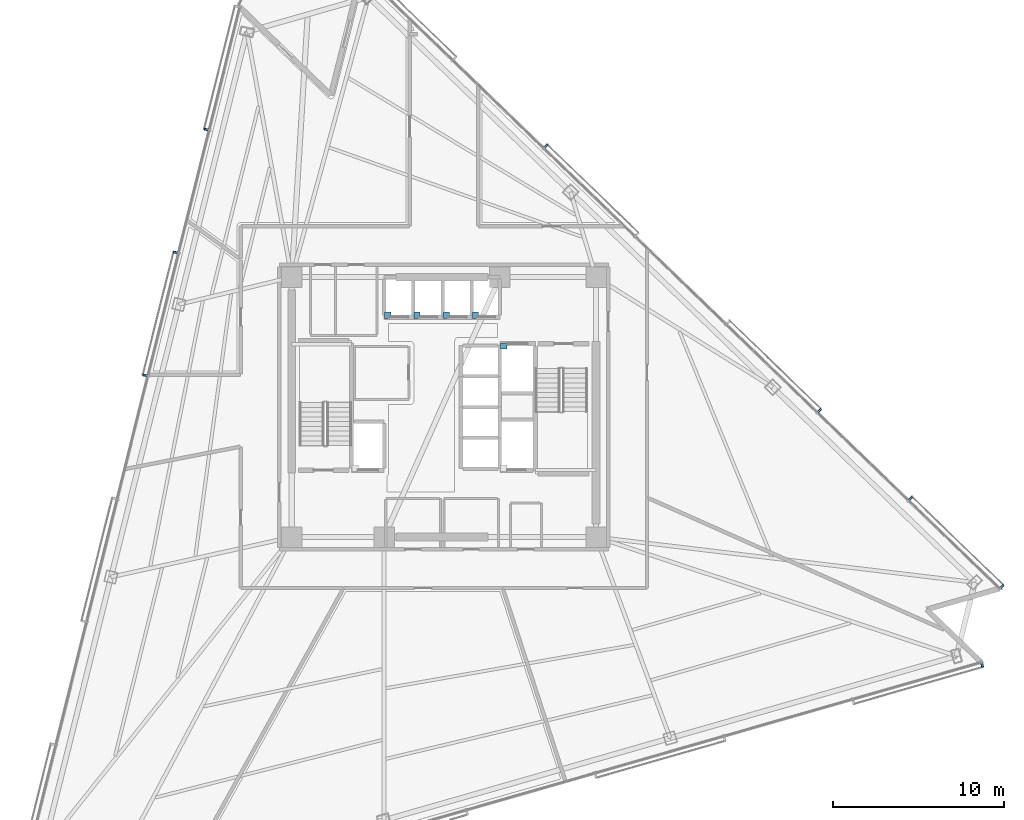
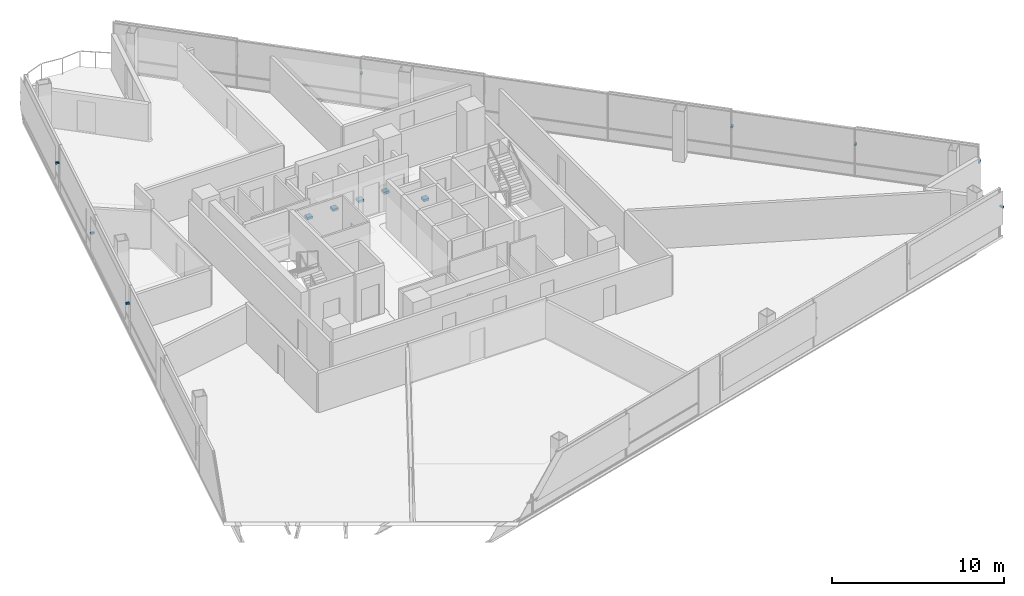
# One storey, part 13 of 17: 13 discrete accessories.
"""IFC4 building model written with IfcOpenShell, lengths in metres."""

from ifc_helpers import new_model, si_unit, direction, frame, origin, origin_2d, place, context, subcontext, project, spatial, rectangle, extrude, material, type_object, element, save


model = new_model("IFC4")

# Units and contexts
model_context = context("Model", 3, precision=1e-05, world=origin(), true_north=direction((0.0, 1.0)))
body_context = subcontext(model_context, "Body", "Model", "MODEL_VIEW")
ifc_project = project(units=[si_unit("LENGTHUNIT", "METRE"), si_unit("AREAUNIT", "SQUARE_METRE"), si_unit("VOLUMEUNIT", "CUBIC_METRE"), si_unit("PLANEANGLEUNIT", "RADIAN"), si_unit("MASSUNIT", "GRAM", prefix="KILO")], contexts=[model_context])

# Site, building, storey
site_placement = place(None, origin())
site = spatial("IfcSite", under=ifc_project, at=site_placement, CompositionType="ELEMENT")
building_placement = place(site_placement, origin())
building = spatial("IfcBuilding", under=site, at=building_placement, Name="Tharavind Bronze Gate", CompositionType="ELEMENT")
storey_placement = place(building_placement, frame((0.0, 0.0, 96.89990234375)))
storey = spatial("IfcBuildingStorey", under=building, at=storey_placement, Name="L24", CompositionType="ELEMENT", Elevation=96.89990234375)

# Discrete accessories
ifc_material_1 = material(Name="Galvanised Steel S355", Category="steel")
discrete_accessory_type_1 = type_object("IfcDiscreteAccessoryType", Name="LIFT GUIDE RAIL BRACKET", PredefinedType="BRACKET", material=ifc_material_1)
for number, where, z_axis, x_axis, name in (
    (1, (-3.280029296875, 5.3701171875, 1.1201171875), (0.0, 0.0, 1.0), (1.0, 0.0, 0.0), "Lift PL5 guide rail bracket at L24"),
    (2, (-1.5673828125, 5.3701171875, 1.1201171875), (0.0, 0.0, 1.0), (1.0, 0.0, 0.0), "Lift PL6 guide rail bracket at L24"),
    (3, (0.14501953125, 5.3701171875, 1.1201171875), (0.0, 0.0, 1.0), (1.0, 0.0, 0.0), "Lift PL7 guide rail bracket at L24"),
    (4, (1.857421875, 5.3701171875, 1.1201171875), (0.0, 0.0, 1.0), (1.0, 0.0, 0.0), "Lift PL8 guide rail bracket at L24"),
    (5, (3.5, 3.580078125, 1.1201171875), (0.0, 0.0, 1.0), (1.0, 0.0, 0.0), "Lift FFL2 guide rail bracket at L24"),
):
    element("IfcDiscreteAccessory", number, at=place(storey_placement, frame(where, z_axis=z_axis, x_axis=x_axis)), inside=storey, type_object=discrete_accessory_type_1, Name=name, PredefinedType="BRACKET", context=body_context, shape_type="SweptSolid", body=[
        extrude(rectangle(XDim=0.360107421875, YDim=0.360107421875, at=origin_2d()), origin(), (0.0, 0.0, 1.0), 0.159912109375),
    ])
ifc_material_2 = material(Name="Stainless Steel 316", Category="steel")
discrete_accessory_type_2 = type_object("IfcDiscreteAccessoryType", Name="SOLAR SCREEN STANDOFF BRACKET", PredefinedType="BRACKET", material=ifc_material_2)
for number, where, z_axis, x_axis, name in (
    (6, (-13.902099609375, 16.243896484375, 2.094970703125), (0.0, 0.0, 1.0), (-0.2419218956, -0.970295726276, 0.0), "CW-L24-S1 solar screen bracket 1.2"),
    (7, (-15.69580078125, 9.0498046875, 2.094970703125), (0.0, 0.0, 1.0), (-0.2419218956, -0.970295726276, 0.0), "CW-L24-S1 solar screen bracket 3.1"),
    (8, (-17.4892578125, 1.855712890625, 2.094970703125), (0.0, 0.0, 1.0), (-0.2419218956, -0.970295726276, 0.0), "CW-L24-S1 solar screen bracket 3.2"),
    (9, (31.48828125, -15.099609375, 2.094970703125), (0.0, 0.0, 1.0), (0.961261695938, 0.275637355817, 0.0), "CW-L24-S2 solar screen bracket 7.2"),
    (10, (32.637939453125, -10.489013671875, 2.094970703125), (0.0, 0.0, 1.0), (-0.719341012745, 0.694657114973, 0.0), "CW-L24-S3 solar screen bracket 1.1"),
    (11, (27.3046875, -5.338623046875, 2.094970703125), (0.0, 0.0, 1.0), (-0.719341012745, 0.694657114973, 0.0), "CW-L24-S3 solar screen bracket 1.2"),
    (12, (21.971435546875, -0.188232421875, 2.094970703125), (0.0, 0.0, 1.0), (-0.719341012745, 0.694657114973, 0.0), "CW-L24-S3 solar screen bracket 3.1"),
    (13, (5.97119140625, 15.2626953125, 2.094970703125), (0.0, 0.0, 1.0), (-0.719341012745, 0.694657114973, 0.0), "CW-L24-S3 solar screen bracket 5.2"),
):
    element("IfcDiscreteAccessory", number, at=place(storey_placement, frame(where, z_axis=z_axis, x_axis=x_axis)), inside=storey, type_object=discrete_accessory_type_2, Name=name, PredefinedType="BRACKET", context=body_context, shape_type="SweptSolid", body=[
        extrude(rectangle(XDim=0.1201171875, YDim=0.239990234375, at=origin_2d()), origin(), (0.0, 0.0, 1.0), 0.1201171875),
    ])

save(model, "model.ifc")
